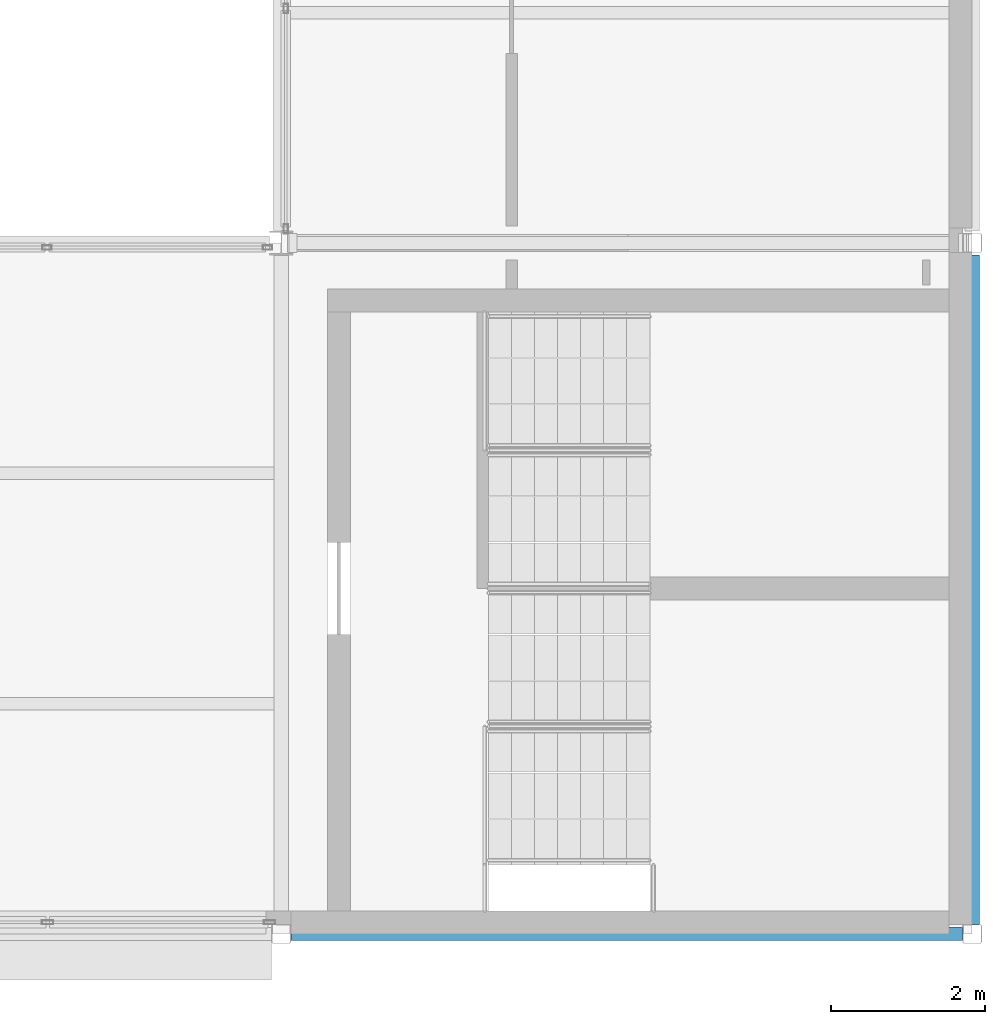
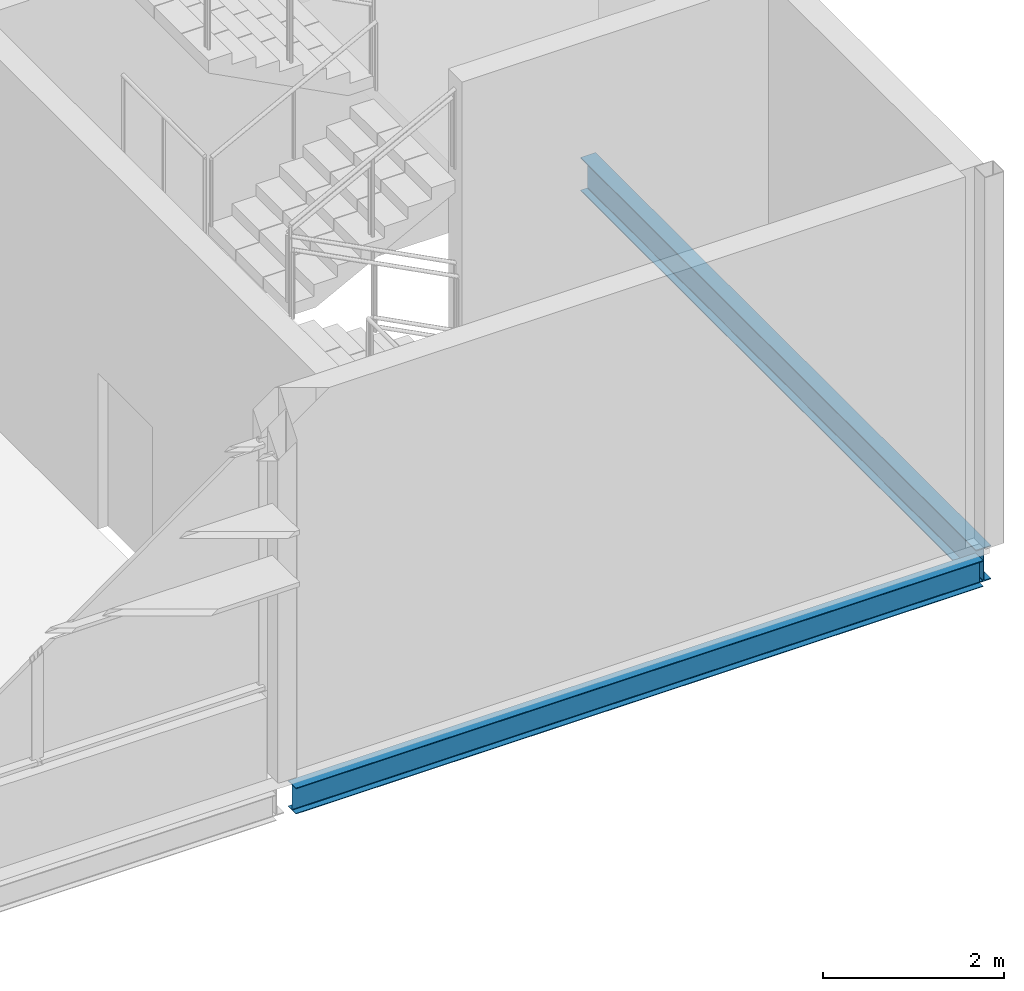
# One storey, part 34 of 61: 2 beams.
"""IFC4 building model written with IfcOpenShell, lengths in metres."""

from ifc_helpers import new_model, si_unit, direction, frame, origin, origin_2d, place, context, subcontext, project, spatial, i_section, extrude, material, material_profile, profile_set, type_object, element, save


model = new_model("IFC4")

# Units and contexts
model_context = context("Model", 3, precision=1e-05, world=origin(), true_north=direction((0.0, 1.0)))
body_context = subcontext(model_context, "Body", "Model", "MODEL_VIEW")
ifc_project = project(units=[si_unit("LENGTHUNIT", "METRE"), si_unit("AREAUNIT", "SQUARE_METRE"), si_unit("VOLUMEUNIT", "CUBIC_METRE"), si_unit("PLANEANGLEUNIT", "RADIAN"), si_unit("MASSUNIT", "GRAM", prefix="KILO")], contexts=[model_context])

# Site, building, storey
site_placement = place(None, origin())
site = spatial("IfcSite", under=ifc_project, at=site_placement, CompositionType="ELEMENT")
building_placement = place(site_placement, origin())
building = spatial("IfcBuilding", under=site, at=building_placement, Name="Shorebreak Coast Museum", CompositionType="ELEMENT")
storey_placement = place(building_placement, frame((0.0, 0.0, 26.0)))
storey = spatial("IfcBuildingStorey", under=building, at=storey_placement, Name="L04", CompositionType="ELEMENT", Elevation=26.0)

# Beams
ifc_material_1 = material(Name="Steel Grade 300", Category="steel")
ifc_material_profile_1 = material_profile(ifc_material_1, i_section(OverallWidth=0.1708984375, OverallDepth=0.35205078125, WebThickness=0.0068359375, FlangeThickness=0.009765625, FilletRadius=0.011474609375, at=origin_2d()), Name="360UB44.7")
ifc_profile_set_1 = profile_set([ifc_material_profile_1], Name="Steel Grade 300")
beam_type_1 = type_object("IfcBeamType", Name="Floor girder east-west 360UB44.7", PredefinedType="BEAM", material=ifc_profile_set_1)
beam_1_placement = place(storey_placement, frame((108.125, 54.0, -0.35107421875), z_axis=(1.0, 0.0, 0.0), x_axis=(0.0, 1.0, 0.0)))
element("IfcBeam", 1, at=beam_1_placement, inside=storey, type_object=beam_type_1, Name="Floor girder east-west L04 13G", PredefinedType="BEAM", context=body_context, shape_type="SweptSolid", body=[
    extrude(i_section(OverallWidth=0.1708984375, OverallDepth=0.35205078125, WebThickness=0.0068359375, FlangeThickness=0.009765625, FilletRadius=0.011474609375, at=origin_2d()), origin(), (0.0, 0.0, 1.0), 8.75),
])
ifc_material_2 = material(Name="Steel Grade 300", Category="steel")
ifc_material_profile_2 = material_profile(ifc_material_2, i_section(OverallWidth=0.18994140625, OverallDepth=0.453857421875, WebThickness=0.008544921875, FlangeThickness=0.0126953125, FilletRadius=0.011474609375, at=origin_2d()), Name="460UB67.1")
ifc_profile_set_2 = profile_set([ifc_material_profile_2], Name="Steel Grade 300")
beam_type_2 = type_object("IfcBeamType", Name="Floor girder north-south 460UB67.1", PredefinedType="BEAM", material=ifc_profile_set_2)
beam_2_placement = place(storey_placement, frame((117.0, 54.125, -0.40185546875), z_axis=(0.0, 1.0, 0.0), x_axis=(-1.0, 0.0, 0.0)))
element("IfcBeam", 2, at=beam_2_placement, inside=storey, type_object=beam_type_2, Name="Floor girder north-south L04 14G", PredefinedType="BEAM", context=body_context, shape_type="SweptSolid", body=[
    extrude(i_section(OverallWidth=0.18994140625, OverallDepth=0.453857421875, WebThickness=0.008544921875, FlangeThickness=0.0126953125, FilletRadius=0.011474609375, at=origin_2d()), origin(), (0.0, 0.0, 1.0), 8.720947265625),
])

save(model, "model.ifc")
